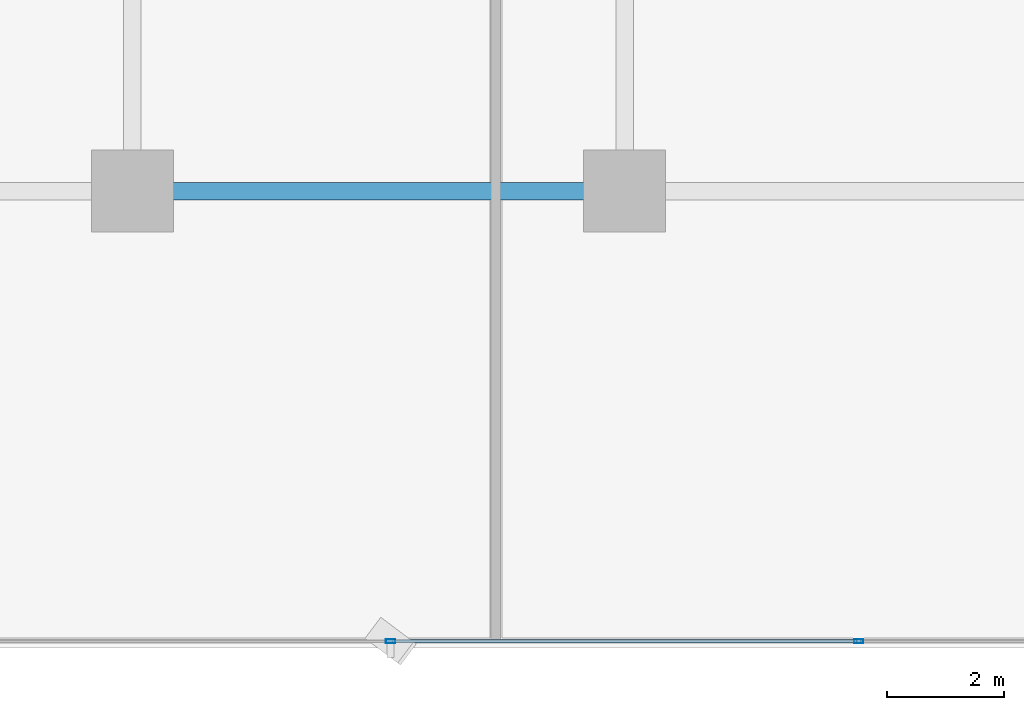
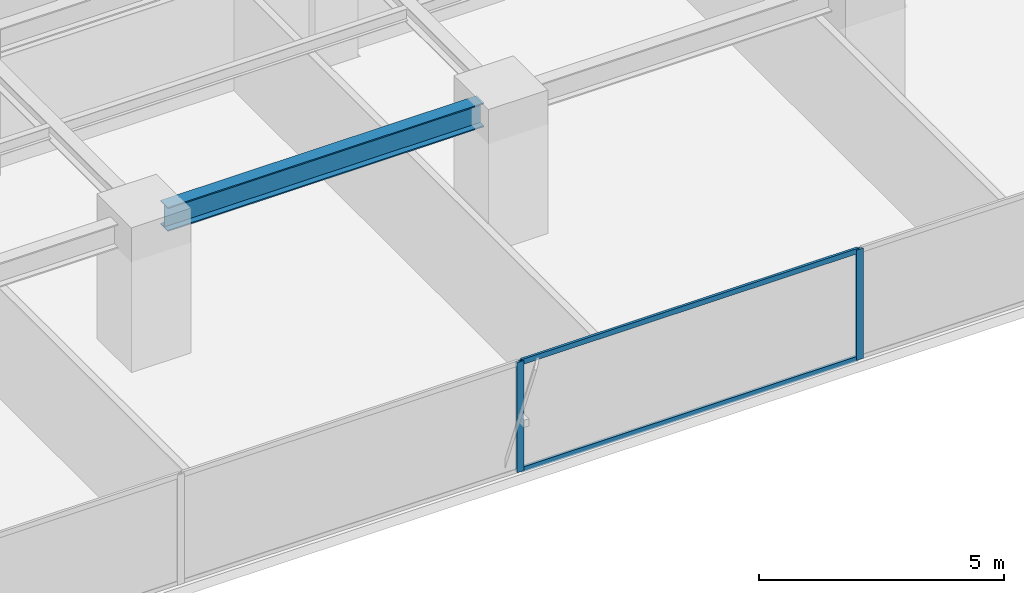
# One storey, part 6 of 35: 4 members, 1 beam, 1 element without a shape of its own.
"""IFC4 building model written with IfcOpenShell, lengths in metres."""

from ifc_helpers import new_model, si_unit, direction, frame, origin, origin_2d, place, context, subcontext, project, spatial, hollow_rectangle, i_section, extrude, source, transform, mapped, material, layer, layer_set, material_profile, profile_set, type_object, element, aggregate, save


model = new_model("IFC4")

# Units and contexts
model_context = context("Model", 3, precision=1e-05, world=origin(), true_north=direction((0.0, 1.0)))
body_context = subcontext(model_context, "Body", "Model", "MODEL_VIEW")
ifc_project = project(units=[si_unit("LENGTHUNIT", "METRE"), si_unit("AREAUNIT", "SQUARE_METRE"), si_unit("VOLUMEUNIT", "CUBIC_METRE"), si_unit("PLANEANGLEUNIT", "RADIAN"), si_unit("MASSUNIT", "GRAM", prefix="KILO")], contexts=[model_context])

# Site, building, storey
site_placement = place(None, origin())
site = spatial("IfcSite", under=ifc_project, at=site_placement, CompositionType="ELEMENT")
building_placement = place(site_placement, origin())
building = spatial("IfcBuilding", under=site, at=building_placement, Name="Sumidabori Civic Tower", CompositionType="ELEMENT")
storey_placement = place(building_placement, frame((0.0, 0.0, 102.800048828125)))
storey = spatial("IfcBuildingStorey", under=building, at=storey_placement, Name="L26", CompositionType="ELEMENT", Elevation=102.800048828125)

# Beam
ifc_material_1 = material(Name="Steel SN490", Category="steel")
ifc_material_profile_1 = material_profile(ifc_material_1, i_section(OverallWidth=0.300048828125, OverallDepth=0.60009765625, WebThickness=0.015380859375, FlangeThickness=0.030029296875, at=origin_2d()), Name="HE 600 B")
ifc_profile_set_1 = profile_set([ifc_material_profile_1], Name="Steel SN490")
beam_type = type_object("IfcBeamType", Name="BM-GIRD-600", PredefinedType="BEAM", material=ifc_profile_set_1)
shared_shape_1 = source(origin(), body_context, "Body", "SweptSolid", [
    extrude(i_section(OverallWidth=0.300048828125, OverallDepth=0.60009765625, WebThickness=0.015380859375, FlangeThickness=0.030029296875, at=origin_2d()), origin(), (0.0, 0.0, 1.0), 7.43994140625),
])
beam_placement = place(storey_placement, frame((-7.919921875, -18.0, 3.06005859375), z_axis=(1.0, 0.0, 0.0), x_axis=(0.0, 1.0, 0.0)))
element("IfcBeam", 1, at=beam_placement, inside=storey, type_object=beam_type, Name="Primary Girder L26 GX-03", PredefinedType="BEAM", context=body_context, shape_type="MappedRepresentation", body=[
    mapped(shared_shape_1, transform((0.0, 0.0, 0.0), x_axis=(1.0, 0.0, 0.0), y_axis=(0.0, 1.0, 0.0), z_axis=(0.0, 0.0, 1.0), scale=1.0)),
])

# Curtain wall, members
ifc_material_2 = material(Name="Anodised Bronze Aluminium AW-6063-T6", Category="aluminium")
ifc_layer = layer(ifc_material_2, 0.179931640625, Name="Anodised Bronze Aluminium AW-6063-T6")
ifc_layer_set = layer_set([ifc_layer], Name="Anodised Bronze Aluminium AW-6063-T6")
curtain_wall_type = type_object("IfcCurtainWallType", Name="CW-SYS-3", PredefinedType="NOTDEFINED", material=ifc_layer_set)
curtain_wall_placement = place(storey_placement, origin())
curtain_wall = element("IfcCurtainWall", 2, at=curtain_wall_placement, inside=storey, type_object=curtain_wall_type, Name="Curtain Wall CW:L26:R01", PredefinedType="NOTDEFINED")
ifc_material_profile_2 = material_profile(ifc_material_2, hollow_rectangle(XDim=0.06494140625, YDim=0.159912109375, WallThickness=0.0048828125, at=origin_2d()), Name="ALU MULLION 160x65")
ifc_profile_set_2 = profile_set([ifc_material_profile_2], Name="Anodised Bronze Aluminium AW-6063-T6")
member_type_1 = type_object("IfcMemberType", Name="CW-MUL-160", PredefinedType="MULLION", material=ifc_profile_set_2)
shared_shape_2 = source(origin(), body_context, "Body", "SweptSolid", [
    extrude(hollow_rectangle(XDim=0.06494140625, YDim=0.159912109375, WallThickness=0.0048828125, at=origin_2d()), origin(), (0.0, 0.0, 1.0), 2.739990234375),
])
member_1_placement = place(storey_placement, frame((-3.993896484375, -25.679931640625, 0.0), z_axis=(0.0, 0.0, 1.0), x_axis=(0.0, 1.0, 0.0)))
member_1 = element("IfcMember", 3, at=member_1_placement, type_object=member_type_1, Name="CW-3 mullion 3", PredefinedType="MULLION", context=body_context, shape_type="MappedRepresentation", body=[
    mapped(shared_shape_2, transform((0.0, 0.0, 0.0), x_axis=(1.0, 0.0, 0.0), y_axis=(0.0, 1.0, 0.0), z_axis=(0.0, 0.0, 1.0), scale=1.0)),
])
member_2_placement = place(storey_placement, frame((3.993896484375, -25.679931640625, 0.0), z_axis=(0.0, 0.0, 1.0), x_axis=(0.0, 1.0, 0.0)))
member_2 = element("IfcMember", 4, at=member_2_placement, type_object=member_type_1, Name="CW-3 mullion 4", PredefinedType="MULLION", context=body_context, shape_type="MappedRepresentation", body=[
    mapped(shared_shape_2, transform((0.0, 0.0, 0.0), x_axis=(1.0, 0.0, 0.0), y_axis=(0.0, 1.0, 0.0), z_axis=(0.0, 0.0, 1.0), scale=1.0)),
])
ifc_material_profile_3 = material_profile(ifc_material_2, hollow_rectangle(XDim=0.06005859375, YDim=0.1298828125, WallThickness=0.0048828125, at=origin_2d()), Name="ALU TRANSOM 130x60")
ifc_profile_set_3 = profile_set([ifc_material_profile_3], Name="Anodised Bronze Aluminium AW-6063-T6")
member_type_2 = type_object("IfcMemberType", Name="CW-TRN-130", PredefinedType="USERDEFINED", material=ifc_profile_set_3)
shared_shape_3 = source(origin(), body_context, "Body", "SweptSolid", [
    extrude(hollow_rectangle(XDim=0.06005859375, YDim=0.1298828125, WallThickness=0.0048828125, at=origin_2d()), origin(), (0.0, 0.0, 1.0), 7.9228515625),
])
member_3_placement = place(storey_placement, frame((-3.96142578125, -25.679931640625, 0.030029296875), z_axis=(1.0, 0.0, 0.0), x_axis=(0.0, 1.0, 0.0)))
member_3 = element("IfcMember", 5, at=member_3_placement, type_object=member_type_2, Name="CW-3 transom 3.1", ObjectType="TRANSOM", PredefinedType="USERDEFINED", context=body_context, shape_type="MappedRepresentation", body=[
    mapped(shared_shape_3, transform((0.0, 0.0, 0.0), x_axis=(1.0, 0.0, 0.0), y_axis=(0.0, 1.0, 0.0), z_axis=(0.0, 0.0, 1.0), scale=1.0)),
])
member_4_placement = place(storey_placement, frame((-3.96142578125, -25.679931640625, 2.7099609375), z_axis=(1.0, 0.0, 0.0), x_axis=(0.0, 1.0, 0.0)))
member_4 = element("IfcMember", 6, at=member_4_placement, type_object=member_type_2, Name="CW-3 transom 3.2", ObjectType="TRANSOM", PredefinedType="USERDEFINED", context=body_context, shape_type="MappedRepresentation", body=[
    mapped(shared_shape_3, transform((0.0, 0.0, 0.0), x_axis=(1.0, 0.0, 0.0), y_axis=(0.0, 1.0, 0.0), z_axis=(0.0, 0.0, 1.0), scale=1.0)),
])
aggregate(curtain_wall, [member_1, member_2, member_3, member_4])

save(model, "model.ifc")
